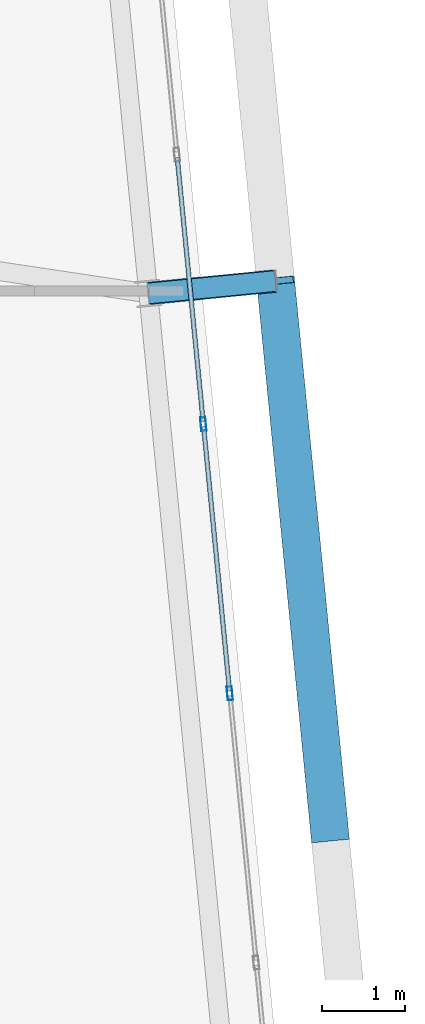
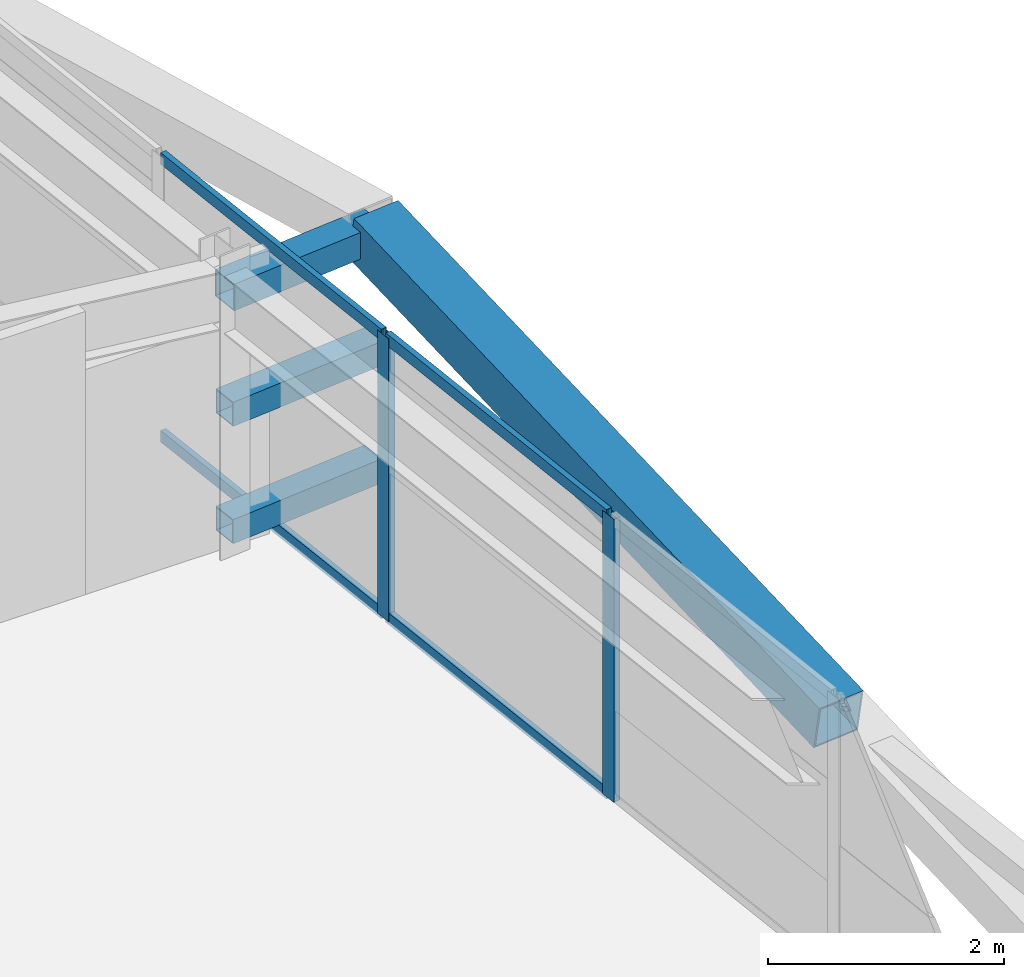
# One storey, part 24 of 53: 10 members, 1 element without a shape of its own.
"""IFC4 building model written with IfcOpenShell, lengths in metres."""

from ifc_helpers import new_model, si_unit, direction, frame, origin, origin_2d, place, context, subcontext, project, spatial, hollow_rectangle, extrude, source, transform, mapped, material, layer, layer_set, material_profile, profile_set, type_object, element, aggregate, save


model = new_model("IFC4")

# Units and contexts
model_context = context("Model", 3, precision=1e-05, world=origin(), true_north=direction((0.0, 1.0)))
body_context = subcontext(model_context, "Body", "Model", "MODEL_VIEW")
ifc_project = project(units=[si_unit("LENGTHUNIT", "METRE"), si_unit("AREAUNIT", "SQUARE_METRE"), si_unit("VOLUMEUNIT", "CUBIC_METRE"), si_unit("PLANEANGLEUNIT", "RADIAN"), si_unit("MASSUNIT", "GRAM", prefix="KILO")], contexts=[model_context])

# Site, building, storey
site_placement = place(None, origin())
site = spatial("IfcSite", under=ifc_project, at=site_placement, CompositionType="ELEMENT")
building_placement = place(site_placement, origin())
building = spatial("IfcBuilding", under=site, at=building_placement, Name="Taldren Reach Tower", CompositionType="ELEMENT")
storey_placement = place(building_placement, frame((0.0, 0.0, 80.85009765625)))
storey = spatial("IfcBuildingStorey", under=building, at=storey_placement, Name="L24", CompositionType="ELEMENT", Elevation=80.85009765625)

# Members
ifc_material_1 = material(Name="Steel Gr 450 (C450L0)", Category="steel")
ifc_material_profile_1 = material_profile(ifc_material_1, hollow_rectangle(XDim=0.27490234375, YDim=0.27490234375, WallThickness=0.00927734375, at=origin_2d()), Name="275x275x9.3SHS")
ifc_profile_set_1 = profile_set([ifc_material_profile_1], Name="Steel Gr 450 (C450L0)")
member_type_1 = type_object("IfcMemberType", Name="MB-TIE273", PredefinedType="STRUT", material=ifc_profile_set_1)
shared_shape_1 = source(origin(), body_context, "Body", "SweptSolid", [
    extrude(hollow_rectangle(XDim=0.27490234375, YDim=0.27490234375, WallThickness=0.00927734375, at=origin_2d()), origin(), (0.0, 0.0, 1.0), 1.5498046875),
])
member_1_placement = place(storey_placement, frame((64.569580078125, 21.968994140625, 2.64990234375), z_axis=(0.995234821595, 0.097507178627, 0.0), x_axis=(-0.097507178627, 0.995234821595, 0.0)))
element("IfcMember", 1, at=member_1_placement, inside=storey, type_object=member_type_1, Name="Exoskeleton diaphragm tie strut B2-E2 L24", PredefinedType="STRUT", context=body_context, shape_type="MappedRepresentation", body=[
    mapped(shared_shape_1, transform((0.0, 0.0, 0.0), scale=1.0)),
])
ifc_material_2 = material(Name="Steel Gr 350 (C350L0)", Category="steel")
ifc_material_profile_2 = material_profile(ifc_material_2, hollow_rectangle(XDim=0.25, YDim=0.25, WallThickness=0.010009765625, at=origin_2d()), Name="250x250x10.0SHS")
ifc_profile_set_2 = profile_set([ifc_material_profile_2], Name="Steel Gr 350 (C350L0)")
member_type_2 = type_object("IfcMemberType", Name="MB-POST250", PredefinedType="POST", material=ifc_profile_set_2)
shared_shape_2 = source(origin(), body_context, "Body", "SweptSolid", [
    extrude(hollow_rectangle(XDim=0.25, YDim=0.25, WallThickness=0.010009765625, at=origin_2d()), origin(), (0.0, 0.0, 1.0), 1.5498046875),
])
for number, where, z_axis, x_axis, name in (
    (2, (64.569580078125, 21.968994140625, 0.219970703125), (0.995234821595, 0.097507178627, 0.0), (-0.097507178627, 0.995234821595, 0.0), "Exoskeleton base diaphragm tie strut B2-E2 L24"),
    (3, (64.569580078125, 21.968994140625, 1.434814453125), (0.995234821595, 0.097507178627, 0.0), (-0.097507178627, 0.995234821595, 0.0), "Exoskeleton mid-tier diaphragm tie B2-E2 L24"),
):
    element("IfcMember", number, at=place(storey_placement, frame(where, z_axis=z_axis, x_axis=x_axis)), inside=storey, type_object=member_type_2, Name=name, PredefinedType="POST", context=body_context, shape_type="MappedRepresentation", body=[
        mapped(shared_shape_2, transform((0.0, 0.0, 0.0), scale=1.0)),
    ])
ifc_material_profile_3 = material_profile(ifc_material_1, hollow_rectangle(XDim=0.4599609375, YDim=0.4599609375, WallThickness=0.01611328125, at=origin_2d()), Name="460x460x16.0SHS")
ifc_profile_set_3 = profile_set([ifc_material_profile_3], Name="Steel Gr 450 (C450L0)")
member_type_3 = type_object("IfcMemberType", Name="MB-EXO457", PredefinedType="BRACE", material=ifc_profile_set_3)
shared_shape_3 = source(origin(), body_context, "Body", "SweptSolid", [
    extrude(hollow_rectangle(XDim=0.4599609375, YDim=0.4599609375, WallThickness=0.01611328125, at=origin_2d()), origin(), (0.0, 0.0, 1.0), 6.883056640625),
])
member_2_placement = place(storey_placement, frame((66.773193359375, 15.37744140625, 1.434814453125), z_axis=(-0.09605145821, 0.97959718347, 0.176531797456), x_axis=(-0.995227290009, -0.097584021339, 0.0)))
element("IfcMember", 4, at=member_2_placement, inside=storey, type_object=member_type_3, Name="Exoskeleton Diagrid Brace B2-E1 L24", PredefinedType="BRACE", context=body_context, shape_type="MappedRepresentation", body=[
    mapped(shared_shape_3, transform((0.0, 0.0, 0.0), scale=1.0)),
])

# Curtain wall, members
ifc_material_3 = material(Name="Aluminium and Low-E Glass Unitised System", Category="aluminium")
ifc_layer = layer(ifc_material_3, 0.159912109375)
ifc_layer_set = layer_set([ifc_layer], Name="Aluminium and Low-E Glass Unitised System")
curtain_wall_type = type_object("IfcCurtainWallType", Name="CW-SYS-3", PredefinedType="NOTDEFINED", material=ifc_layer_set)
curtain_wall_placement = place(storey_placement, origin())
curtain_wall = element("IfcCurtainWall", 5, at=curtain_wall_placement, inside=storey, type_object=curtain_wall_type, Name="Unitised curtain wall CW-L24-E", PredefinedType="NOTDEFINED")
ifc_material_4 = material(Name="Anodised Aluminium 6063-T6", Category="aluminium")
ifc_material_profile_4 = material_profile(ifc_material_4, hollow_rectangle(XDim=0.06494140625, YDim=0.1650390625, WallThickness=0.00390625, at=origin_2d()), Name="ALU-165x65x4RHS")
ifc_profile_set_4 = profile_set([ifc_material_profile_4], Name="Anodised Aluminium 6063-T6")
member_type_4 = type_object("IfcMemberType", Name="CW-MUL-165", PredefinedType="MULLION", material=ifc_profile_set_4)
shared_shape_4 = source(origin(), body_context, "Body", "SweptSolid", [
    extrude(hollow_rectangle(XDim=0.06494140625, YDim=0.1650390625, WallThickness=0.00390625, at=origin_2d()), origin(), (0.0, 0.0, 1.0), 2.929931640625),
])
member_3_placement = place(storey_placement, frame((65.556884765625, 17.12548828125, 0.0), z_axis=(0.0, 0.0, 1.0), x_axis=(-0.99522741555, -0.09758274098, 0.0)))
member_3 = element("IfcMember", 6, at=member_3_placement, type_object=member_type_4, Name="CW-3 mullion 4", PredefinedType="MULLION", context=body_context, shape_type="MappedRepresentation", body=[
    mapped(shared_shape_4, transform((0.0, 0.0, 0.0), scale=1.0)),
])
member_4_placement = place(storey_placement, frame((65.237060546875, 20.3876953125, 0.0), z_axis=(0.0, 0.0, 1.0), x_axis=(-0.99522741555, -0.09758274098, 0.0)))
member_4 = element("IfcMember", 7, at=member_4_placement, type_object=member_type_4, Name="CW-3 mullion 5", PredefinedType="MULLION", context=body_context, shape_type="MappedRepresentation", body=[
    mapped(shared_shape_4, transform((0.0, 0.0, 0.0), scale=1.0)),
])
ifc_material_profile_5 = material_profile(ifc_material_4, hollow_rectangle(XDim=0.054931640625, YDim=0.1201171875, WallThickness=0.0029296875, at=origin_2d()), Name="ALU-120x55x3RHS")
ifc_profile_set_5 = profile_set([ifc_material_profile_5], Name="Anodised Aluminium 6063-T6")
member_type_5 = type_object("IfcMemberType", Name="CW-TRN-135", PredefinedType="USERDEFINED", material=ifc_profile_set_5)
shared_shape_5 = source(origin(), body_context, "Body", "SweptSolid", [
    extrude(hollow_rectangle(XDim=0.054931640625, YDim=0.1201171875, WallThickness=0.0029296875, at=origin_2d()), origin(), (0.0, 0.0, 1.0), 3.212890625),
])
member_5_placement = place(storey_placement, frame((65.5537109375, 17.15771484375, 0.02734375), z_axis=(-0.097569948235, 0.995228669805, 0.0), x_axis=(-0.995228669805, -0.097569948235, 0.0)))
member_5 = element("IfcMember", 8, at=member_5_placement, type_object=member_type_5, Name="CW-3 transom 4.1", ObjectType="TRANSOM", PredefinedType="USERDEFINED", context=body_context, shape_type="MappedRepresentation", body=[
    mapped(shared_shape_5, transform((0.0, 0.0, 0.0), scale=1.0)),
])
member_6_placement = place(storey_placement, frame((65.5537109375, 17.15771484375, 2.90234375), z_axis=(-0.097569948235, 0.995228669805, 0.0), x_axis=(-0.995228669805, -0.097569948235, 0.0)))
member_6 = element("IfcMember", 9, at=member_6_placement, type_object=member_type_5, Name="CW-3 transom 4.2", ObjectType="TRANSOM", PredefinedType="USERDEFINED", context=body_context, shape_type="MappedRepresentation", body=[
    mapped(shared_shape_5, transform((0.0, 0.0, 0.0), scale=1.0)),
])
member_7_placement = place(storey_placement, frame((65.23388671875, 20.419921875, 0.02734375), z_axis=(-0.097645213046, 0.995221288141, 0.0), x_axis=(-0.995221288141, -0.097645213046, 0.0)))
member_7 = element("IfcMember", 10, at=member_7_placement, type_object=member_type_5, Name="CW-3 transom 5.1", ObjectType="TRANSOM", PredefinedType="USERDEFINED", context=body_context, shape_type="MappedRepresentation", body=[
    mapped(shared_shape_5, transform((0.0, 0.0, 0.0), scale=1.0)),
])
member_8_placement = place(storey_placement, frame((65.23388671875, 20.419921875, 2.90234375), z_axis=(-0.097645213046, 0.995221288141, 0.0), x_axis=(-0.995221288141, -0.097645213046, 0.0)))
member_8 = element("IfcMember", 11, at=member_8_placement, type_object=member_type_5, Name="CW-3 transom 5.2", ObjectType="TRANSOM", PredefinedType="USERDEFINED", context=body_context, shape_type="MappedRepresentation", body=[
    mapped(shared_shape_5, transform((0.0, 0.0, 0.0), scale=1.0)),
])
aggregate(curtain_wall, [member_3, member_4, member_5, member_6, member_7, member_8])

save(model, "model.ifc")
